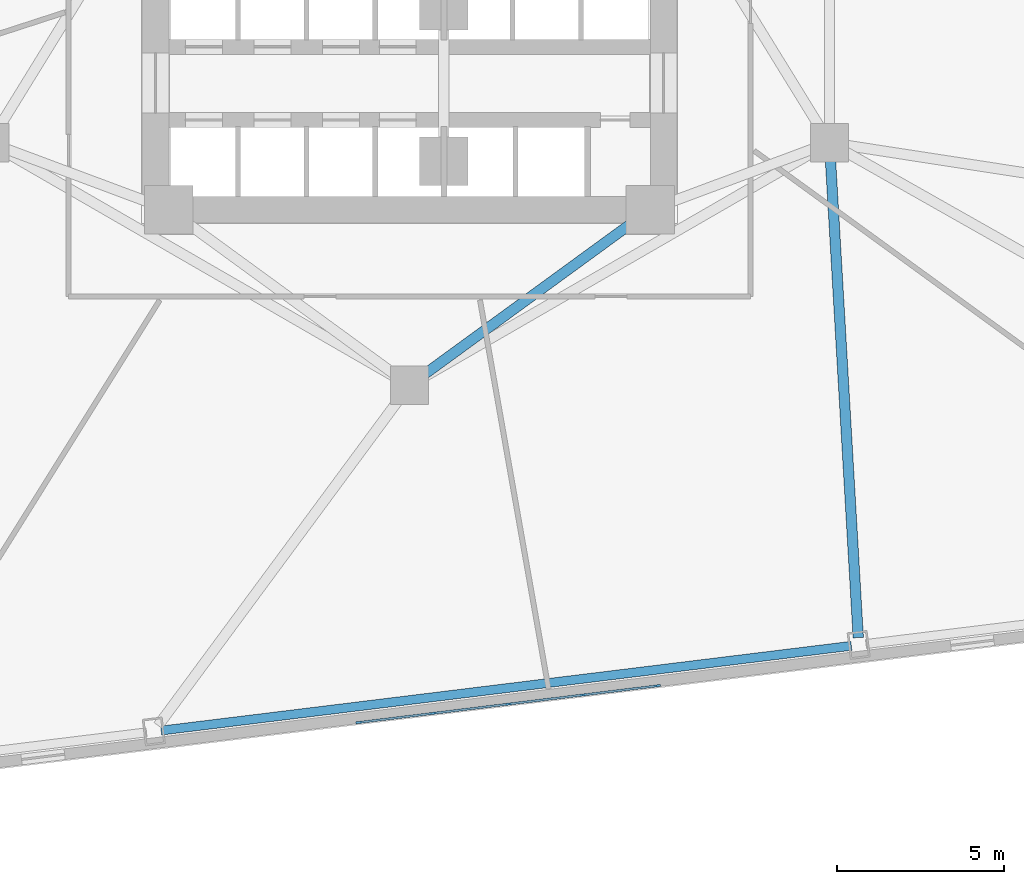
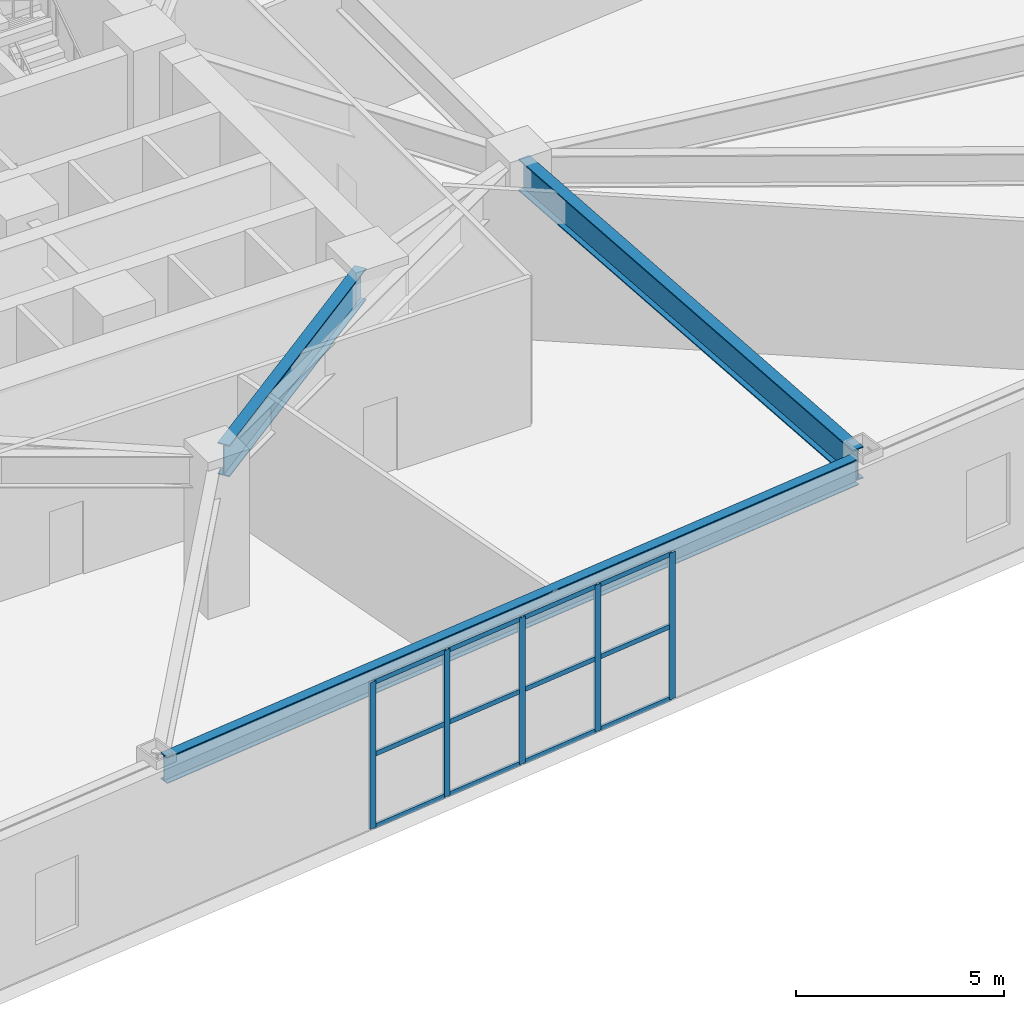
# One storey, part 2 of 21: 17 members, 3 beams, 1 element without a shape of its own.
"""IFC4 building model written with IfcOpenShell, lengths in metres."""

from ifc_helpers import new_model, si_unit, direction, frame, origin, origin_2d, place, context, subcontext, project, spatial, rectangle, i_section, extrude, material, layer, layer_set, material_profile, profile_set, type_object, element, aggregate, save


model = new_model("IFC4")

# Units and contexts
model_context = context("Model", 3, precision=1e-05, world=origin(), true_north=direction((0.0, 1.0)))
body_context = subcontext(model_context, "Body", "Model", "MODEL_VIEW")
ifc_project = project(units=[si_unit("LENGTHUNIT", "METRE"), si_unit("AREAUNIT", "SQUARE_METRE"), si_unit("VOLUMEUNIT", "CUBIC_METRE"), si_unit("PLANEANGLEUNIT", "RADIAN"), si_unit("MASSUNIT", "GRAM", prefix="KILO")], contexts=[model_context])

# Site, building, storey
site_placement = place(None, origin())
site = spatial("IfcSite", under=ifc_project, at=site_placement, CompositionType="ELEMENT")
building_placement = place(site_placement, origin())
building = spatial("IfcBuilding", under=site, at=building_placement, Name="Apsidion Concourse Tower", CompositionType="ELEMENT")
storey_placement = place(building_placement, frame((0.0, 0.0, 62.39990234375)))
storey = spatial("IfcBuildingStorey", under=building, at=storey_placement, Name="L13", CompositionType="ELEMENT", Elevation=62.39990234375)

# Beams
ifc_material_1 = material(Name="Structural steel ASTM A992 Grade 50", Category="steel")
ifc_material_profile_1 = material_profile(ifc_material_1, i_section(OverallWidth=0.31005859375, OverallDepth=0.931884765625, WebThickness=0.02099609375, FlangeThickness=0.034423828125, at=origin_2d()), Name="W36X210")
ifc_profile_set_1 = profile_set([ifc_material_profile_1], Name="Structural steel ASTM A992 Grade 50")
beam_type_1 = type_object("IfcBeamType", Name="BM-G-W36", PredefinedType="USERDEFINED", material=ifc_profile_set_1)
beam_1_placement = place(storey_placement, frame((0.3232421875, -14.264404296875, 3.884033203125), z_axis=(0.807993498909, 0.589191399905, 0.0), x_axis=(-0.589191399905, 0.807993498909, 0.0)))
element("IfcBeam", 1, at=beam_1_placement, inside=storey, type_object=beam_type_1, Name="L13 Core Coupling Girder IC6-SC2", ObjectType="GIRDER", PredefinedType="USERDEFINED", context=body_context, shape_type="SweptSolid", body=[
    extrude(i_section(OverallWidth=0.31005859375, OverallDepth=0.931884765625, WebThickness=0.02099609375, FlangeThickness=0.034423828125, at=origin_2d()), origin(), (0.0, 0.0, 1.0), 8.11083984375),
])
beam_2_placement = place(storey_placement, frame((12.57275390625, -7.469482421875, 3.884033203125), z_axis=(0.058062445762, -0.998312953133, 0.0), x_axis=(0.998312953133, 0.058062445762, 0.0)))
element("IfcBeam", 2, at=beam_2_placement, inside=storey, type_object=beam_type_1, Name="L13 Radial Floor Girder RAD-07", ObjectType="GIRDER", PredefinedType="USERDEFINED", context=body_context, shape_type="SweptSolid", body=[
    extrude(i_section(OverallWidth=0.31005859375, OverallDepth=0.931884765625, WebThickness=0.02099609375, FlangeThickness=0.034423828125, at=origin_2d()), origin(), (0.0, 0.0, 1.0), 14.603271484375),
])
ifc_material_profile_2 = material_profile(ifc_material_1, i_section(OverallWidth=0.26806640625, OverallDepth=0.77001953125, WebThickness=0.015625, FlangeThickness=0.025390625, at=origin_2d()), Name="W30X132")
ifc_profile_set_2 = profile_set([ifc_material_profile_2], Name="Structural steel ASTM A992 Grade 50")
beam_type_2 = type_object("IfcBeamType", Name="BM-SP-W30", PredefinedType="SPANDREL", material=ifc_profile_set_2)
beam_3_placement = place(storey_placement, frame((-7.428955078125, -24.8291015625, 3.965087890625), z_axis=(0.992546743565, 0.121864522478, 0.0), x_axis=(-0.121864522478, 0.992546743565, 0.0)))
element("IfcBeam", 3, at=beam_3_placement, inside=storey, type_object=beam_type_2, Name="L13 Perimeter Spandrel Girder SP-06", PredefinedType="SPANDREL", context=body_context, shape_type="SweptSolid", body=[
    extrude(i_section(OverallWidth=0.26806640625, OverallDepth=0.77001953125, WebThickness=0.015625, FlangeThickness=0.025390625, at=origin_2d()), origin(), (0.0, 0.0, 1.0), 20.799072265625),
])

# Curtain wall, members
ifc_material_2 = material(Name="Insulated laminated low-E glass", Category="glass")
ifc_layer = layer(ifc_material_2, 0.2099609375)
ifc_layer_set = layer_set([ifc_layer], Name="Insulated laminated low-E glass")
curtain_wall_type = type_object("IfcCurtainWallType", Name="CW-SYS-03", PredefinedType="NOTDEFINED", material=ifc_layer_set)
curtain_wall_placement = place(storey_placement, origin())
curtain_wall = element("IfcCurtainWall", 4, at=curtain_wall_placement, inside=storey, type_object=curtain_wall_type, Name="L13 Sky Lobby Curtain Wall 5", PredefinedType="NOTDEFINED")
ifc_material_3 = material(Name="Anodised aluminium EN AW-6063 T6", Category="aluminium")
ifc_material_profile_3 = material_profile(ifc_material_3, rectangle(XDim=0.06494140625, YDim=0.179931640625, at=origin_2d()), Name="ALU MULLION 65x180")
ifc_profile_set_3 = profile_set([ifc_material_profile_3], Name="Anodised aluminium EN AW-6063 T6")
member_type_1 = type_object("IfcMemberType", Name="CWM-65X180", PredefinedType="MULLION", material=ifc_profile_set_3)
member_1_placement = place(storey_placement, frame((7.4208984375, -23.489501953125, 0.0), z_axis=(0.0, 0.0, 1.0), x_axis=(0.121871676684, -0.992545865148, 0.0)))
member_1 = element("IfcMember", 5, at=member_1_placement, type_object=member_type_1, Name="CW-03 mullion 1", PredefinedType="MULLION", context=body_context, shape_type="SweptSolid", body=[
    extrude(rectangle(XDim=0.06494140625, YDim=0.179931640625, at=origin_2d()), origin(), (0.0, 0.0, 1.0), 4.300048828125),
])
member_2_placement = place(storey_placement, frame((5.202392578125, -23.761962890625, 0.0), z_axis=(0.0, 0.0, 1.0), x_axis=(0.121871676684, -0.992545865148, 0.0)))
member_2 = element("IfcMember", 6, at=member_2_placement, type_object=member_type_1, Name="CW-03 mullion 2", PredefinedType="MULLION", context=body_context, shape_type="SweptSolid", body=[
    extrude(rectangle(XDim=0.06494140625, YDim=0.179931640625, at=origin_2d()), origin(), (0.0, 0.0, 1.0), 4.300048828125),
])
member_3_placement = place(storey_placement, frame((2.951416015625, -24.038330078125, 0.0), z_axis=(0.0, 0.0, 1.0), x_axis=(0.121871676684, -0.992545865148, 0.0)))
member_3 = element("IfcMember", 7, at=member_3_placement, type_object=member_type_1, Name="CW-03 mullion 3", PredefinedType="MULLION", context=body_context, shape_type="SweptSolid", body=[
    extrude(rectangle(XDim=0.06494140625, YDim=0.179931640625, at=origin_2d()), origin(), (0.0, 0.0, 1.0), 4.300048828125),
])
member_4_placement = place(storey_placement, frame((0.70068359375, -24.314697265625, 0.0), z_axis=(0.0, 0.0, 1.0), x_axis=(0.121871676684, -0.992545865148, 0.0)))
member_4 = element("IfcMember", 8, at=member_4_placement, type_object=member_type_1, Name="CW-03 mullion 4", PredefinedType="MULLION", context=body_context, shape_type="SweptSolid", body=[
    extrude(rectangle(XDim=0.06494140625, YDim=0.179931640625, at=origin_2d()), origin(), (0.0, 0.0, 1.0), 4.300048828125),
])
member_5_placement = place(storey_placement, frame((-1.517822265625, -24.587158203125, 0.0), z_axis=(0.0, 0.0, 1.0), x_axis=(0.121871676684, -0.992545865148, 0.0)))
member_5 = element("IfcMember", 9, at=member_5_placement, type_object=member_type_1, Name="CW-03 mullion 5", PredefinedType="MULLION", context=body_context, shape_type="SweptSolid", body=[
    extrude(rectangle(XDim=0.06494140625, YDim=0.179931640625, at=origin_2d()), origin(), (0.0, 0.0, 1.0), 4.300048828125),
])
ifc_material_profile_4 = material_profile(ifc_material_3, rectangle(XDim=0.06494140625, YDim=0.139892578125, at=origin_2d()), Name="ALU TRANSOM 65x140")
ifc_profile_set_4 = profile_set([ifc_material_profile_4], Name="Anodised aluminium EN AW-6063 T6")
member_type_2 = type_object("IfcMemberType", Name="CWT-65X140", PredefinedType="USERDEFINED", material=ifc_profile_set_4)
member_6_placement = place(storey_placement, frame((7.388671875, -23.493408203125, 0.03271484375), z_axis=(-0.992550616729, -0.121832972676, 0.0), x_axis=(0.121832972676, -0.992550616729, 0.0)))
member_6 = element("IfcMember", 10, at=member_6_placement, type_object=member_type_2, Name="CW-03 transom 1.1", ObjectType="TRANSOM", PredefinedType="USERDEFINED", context=body_context, shape_type="SweptSolid", body=[
    extrude(rectangle(XDim=0.06494140625, YDim=0.139892578125, at=origin_2d()), origin(), (0.0, 0.0, 1.0), 2.170166015625),
])
member_7_placement = place(storey_placement, frame((7.388671875, -23.493408203125, 2.150146484375), z_axis=(-0.992550616729, -0.121832972676, 0.0), x_axis=(0.121832972676, -0.992550616729, 0.0)))
member_7 = element("IfcMember", 11, at=member_7_placement, type_object=member_type_2, Name="CW-03 transom 1.2", ObjectType="TRANSOM", PredefinedType="USERDEFINED", context=body_context, shape_type="SweptSolid", body=[
    extrude(rectangle(XDim=0.06494140625, YDim=0.139892578125, at=origin_2d()), origin(), (0.0, 0.0, 1.0), 2.170166015625),
])
member_8_placement = place(storey_placement, frame((7.388671875, -23.493408203125, 4.267578125), z_axis=(-0.992550616729, -0.121832972676, 0.0), x_axis=(0.121832972676, -0.992550616729, 0.0)))
member_8 = element("IfcMember", 12, at=member_8_placement, type_object=member_type_2, Name="CW-03 transom 1.3", ObjectType="TRANSOM", PredefinedType="USERDEFINED", context=body_context, shape_type="SweptSolid", body=[
    extrude(rectangle(XDim=0.06494140625, YDim=0.139892578125, at=origin_2d()), origin(), (0.0, 0.0, 1.0), 2.170166015625),
])
member_9_placement = place(storey_placement, frame((5.170166015625, -23.765869140625, 0.03271484375), z_axis=(-0.992554976981, -0.121797445255, 0.0), x_axis=(0.121797445255, -0.992554976981, 0.0)))
member_9 = element("IfcMember", 13, at=member_9_placement, type_object=member_type_2, Name="CW-03 transom 2.1", ObjectType="TRANSOM", PredefinedType="USERDEFINED", context=body_context, shape_type="SweptSolid", body=[
    extrude(rectangle(XDim=0.06494140625, YDim=0.139892578125, at=origin_2d()), origin(), (0.0, 0.0, 1.0), 2.202880859375),
])
member_10_placement = place(storey_placement, frame((5.170166015625, -23.765869140625, 2.150146484375), z_axis=(-0.992554976981, -0.121797445255, 0.0), x_axis=(0.121797445255, -0.992554976981, 0.0)))
member_10 = element("IfcMember", 14, at=member_10_placement, type_object=member_type_2, Name="CW-03 transom 2.2", ObjectType="TRANSOM", PredefinedType="USERDEFINED", context=body_context, shape_type="SweptSolid", body=[
    extrude(rectangle(XDim=0.06494140625, YDim=0.139892578125, at=origin_2d()), origin(), (0.0, 0.0, 1.0), 2.202880859375),
])
member_11_placement = place(storey_placement, frame((5.170166015625, -23.765869140625, 4.267578125), z_axis=(-0.992554976981, -0.121797445255, 0.0), x_axis=(0.121797445255, -0.992554976981, 0.0)))
member_11 = element("IfcMember", 15, at=member_11_placement, type_object=member_type_2, Name="CW-03 transom 2.3", ObjectType="TRANSOM", PredefinedType="USERDEFINED", context=body_context, shape_type="SweptSolid", body=[
    extrude(rectangle(XDim=0.06494140625, YDim=0.139892578125, at=origin_2d()), origin(), (0.0, 0.0, 1.0), 2.202880859375),
])
member_12_placement = place(storey_placement, frame((2.919189453125, -24.042236328125, 0.03271484375), z_axis=(-0.992553332653, -0.12181084451, 0.0), x_axis=(0.12181084451, -0.992553332653, 0.0)))
member_12 = element("IfcMember", 16, at=member_12_placement, type_object=member_type_2, Name="CW-03 transom 3.1", ObjectType="TRANSOM", PredefinedType="USERDEFINED", context=body_context, shape_type="SweptSolid", body=[
    extrude(rectangle(XDim=0.06494140625, YDim=0.139892578125, at=origin_2d()), origin(), (0.0, 0.0, 1.0), 2.20263671875),
])
member_13_placement = place(storey_placement, frame((2.919189453125, -24.042236328125, 2.150146484375), z_axis=(-0.992553332653, -0.12181084451, 0.0), x_axis=(0.12181084451, -0.992553332653, 0.0)))
member_13 = element("IfcMember", 17, at=member_13_placement, type_object=member_type_2, Name="CW-03 transom 3.2", ObjectType="TRANSOM", PredefinedType="USERDEFINED", context=body_context, shape_type="SweptSolid", body=[
    extrude(rectangle(XDim=0.06494140625, YDim=0.139892578125, at=origin_2d()), origin(), (0.0, 0.0, 1.0), 2.20263671875),
])
member_14_placement = place(storey_placement, frame((2.919189453125, -24.042236328125, 4.267578125), z_axis=(-0.992553332653, -0.12181084451, 0.0), x_axis=(0.12181084451, -0.992553332653, 0.0)))
member_14 = element("IfcMember", 18, at=member_14_placement, type_object=member_type_2, Name="CW-03 transom 3.3", ObjectType="TRANSOM", PredefinedType="USERDEFINED", context=body_context, shape_type="SweptSolid", body=[
    extrude(rectangle(XDim=0.06494140625, YDim=0.139892578125, at=origin_2d()), origin(), (0.0, 0.0, 1.0), 2.20263671875),
])
member_15_placement = place(storey_placement, frame((0.66845703125, -24.318603515625, 0.03271484375), z_axis=(-0.992550616729, -0.121832972676, 0.0), x_axis=(0.121832972676, -0.992550616729, 0.0)))
member_15 = element("IfcMember", 19, at=member_15_placement, type_object=member_type_2, Name="CW-03 transom 4.1", ObjectType="TRANSOM", PredefinedType="USERDEFINED", context=body_context, shape_type="SweptSolid", body=[
    extrude(rectangle(XDim=0.06494140625, YDim=0.139892578125, at=origin_2d()), origin(), (0.0, 0.0, 1.0), 2.170166015625),
])
member_16_placement = place(storey_placement, frame((0.66845703125, -24.318603515625, 2.150146484375), z_axis=(-0.992550616729, -0.121832972676, 0.0), x_axis=(0.121832972676, -0.992550616729, 0.0)))
member_16 = element("IfcMember", 20, at=member_16_placement, type_object=member_type_2, Name="CW-03 transom 4.2", ObjectType="TRANSOM", PredefinedType="USERDEFINED", context=body_context, shape_type="SweptSolid", body=[
    extrude(rectangle(XDim=0.06494140625, YDim=0.139892578125, at=origin_2d()), origin(), (0.0, 0.0, 1.0), 2.170166015625),
])
member_17_placement = place(storey_placement, frame((0.66845703125, -24.318603515625, 4.267578125), z_axis=(-0.992550616729, -0.121832972676, 0.0), x_axis=(0.121832972676, -0.992550616729, 0.0)))
member_17 = element("IfcMember", 21, at=member_17_placement, type_object=member_type_2, Name="CW-03 transom 4.3", ObjectType="TRANSOM", PredefinedType="USERDEFINED", context=body_context, shape_type="SweptSolid", body=[
    extrude(rectangle(XDim=0.06494140625, YDim=0.139892578125, at=origin_2d()), origin(), (0.0, 0.0, 1.0), 2.170166015625),
])
aggregate(curtain_wall, [member_1, member_2, member_3, member_4, member_5, member_6, member_7, member_8, member_9, member_10, member_11, member_12, member_13, member_14, member_15, member_16, member_17])

save(model, "model.ifc")
